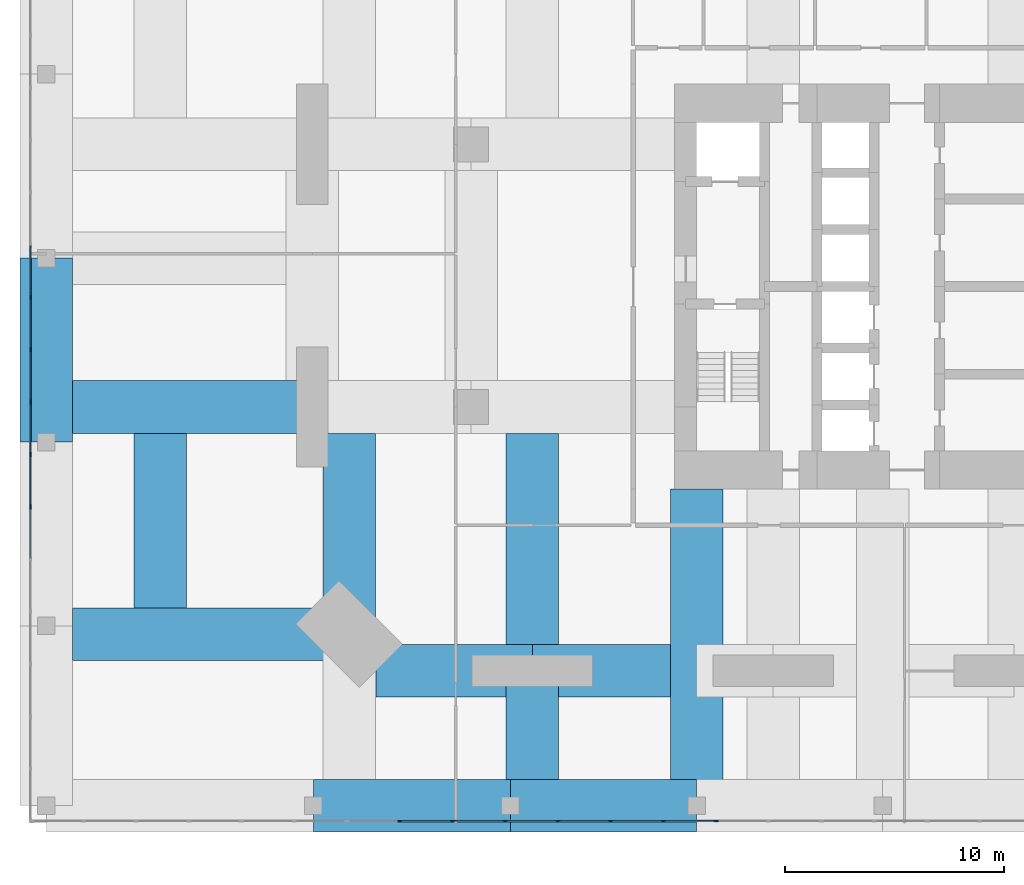
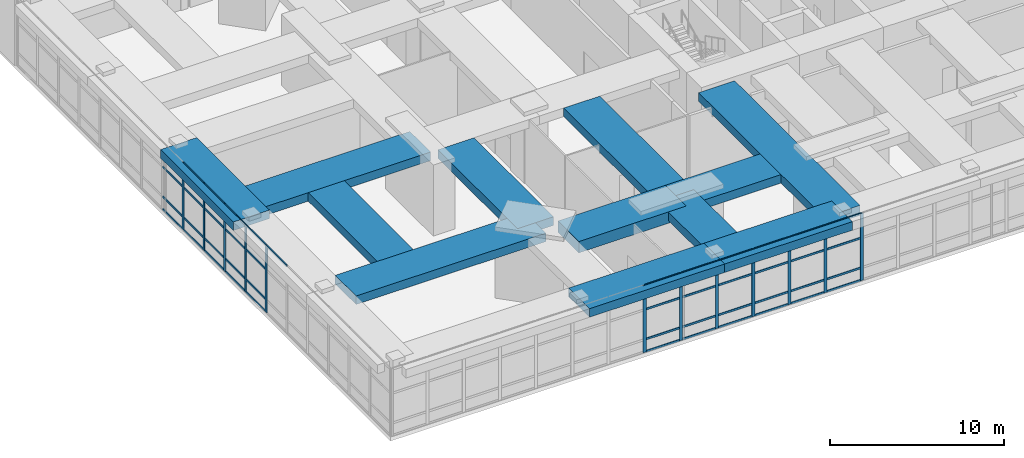
# One storey, part 3 of 22: 56 members, 12 beams, 2 elements without a shape of their own.
"""IFC4 building model written with IfcOpenShell, lengths in metres."""

import ifcopenshell
import ifcopenshell.guid

model = None  # the IFC model being written
_history = None  # IfcOwnerHistory: only IFC2X3 demands one
_inside = {}  # id of a spatial element -> (the spatial element, [elements in it])
_under = {}  # id of a project, library or spatial element -> (it, [spatial elements below it])
_declared = {}  # id of a project -> (the project, [libraries it declares])
_typed = {}  # id of a type object -> (the type object, [elements of that type])
_made_of = {}  # id of a material, layer set ... -> (it, [elements and type objects made of it])


def new_model(schema):
    """Start an empty IFC model of exactly this schema.

    Asked for "IFC4X3", IfcOpenShell would pick the latest addendum, in which some entities
    have other attributes; the version numbers below select the first issue.
    IFC2X3 requires an IfcOwnerHistory on every rooted entity: one is made here for all.
    """
    global model, _history
    if schema == "IFC4X3":
        model = ifcopenshell.file(schema_version=(4, 3, 0, 0))
    else:
        model = ifcopenshell.file(schema=schema)
    _inside.clear()
    _under.clear()
    _declared.clear()
    _typed.clear()
    _made_of.clear()
    _history = None
    if model.schema == "IFC2X3":
        org = make("IfcOrganization", Name="unknown")
        user = make(
            "IfcPersonAndOrganization",
            ThePerson=make("IfcPerson", FamilyName="unknown"),
            TheOrganization=org,
        )
        app = make(
            "IfcApplication",
            ApplicationDeveloper=org,
            Version="unknown",
            ApplicationFullName="unknown",
            ApplicationIdentifier="unknown",
        )
        _history = make(
            "IfcOwnerHistory",
            OwningUser=user,
            OwningApplication=app,
            ChangeAction="ADDED",
            CreationDate=0,
        )
    return model


def make(cls, **values):
    """One entity of the class cls with the attributes given. An attribute that is None is left unset."""
    return model.create_entity(
        cls, **{name: value for name, value in values.items() if value is not None}
    )


def rooted(cls, **values):
    """An entity with a GlobalId (a new one), such as an element, a storey or a relation."""
    return make(cls, GlobalId=ifcopenshell.guid.new(), OwnerHistory=_history, **values)


def si_unit(unit_type, name, prefix=None):
    """IfcSIUnit, for example si_unit("LENGTHUNIT", "METRE", prefix="MILLI")."""
    return make("IfcSIUnit", UnitType=unit_type, Prefix=prefix, Name=name)


def assignment(units):
    """IfcUnitAssignment: the units of a project."""
    return None if units is None else make("IfcUnitAssignment", Units=units)


def point(xyz):
    """IfcCartesianPoint."""
    return None if xyz is None else make("IfcCartesianPoint", Coordinates=xyz)


def direction(xyz):
    """IfcDirection."""
    return None if xyz is None else make("IfcDirection", DirectionRatios=xyz)


def frame(location, z_axis=None, x_axis=None):
    """IfcAxis2Placement3D, a coordinate frame: its origin and axes. An axis left out is left unset."""
    return make(
        "IfcAxis2Placement3D",
        Location=point(location),
        Axis=direction(z_axis),
        RefDirection=direction(x_axis),
    )


def frame_2d(location, x_axis=None):
    """IfcAxis2Placement2D, a coordinate frame in the plane: its origin and x axis."""
    return make(
        "IfcAxis2Placement2D", Location=point(location), RefDirection=direction(x_axis)
    )


def origin():
    """The frame at (0, 0, 0) with its axes left unset."""
    return frame((0.0, 0.0, 0.0))


def origin_2d():
    """The frame at (0, 0) in the plane with its x axis left unset."""
    return frame_2d((0.0, 0.0))


def place(relative_to, where):
    """IfcLocalPlacement: puts the frame where relative to a parent placement (None: the world)."""
    return make(
        "IfcLocalPlacement", PlacementRelTo=relative_to, RelativePlacement=where
    )


def context(
    kind, dimensions, precision=None, world=None, true_north=None, identifier=None
):
    """IfcGeometricRepresentationContext, for example the 3D "Model" context."""
    return make(
        "IfcGeometricRepresentationContext",
        ContextIdentifier=identifier,
        ContextType=kind,
        CoordinateSpaceDimension=dimensions,
        Precision=precision,
        WorldCoordinateSystem=world,
        TrueNorth=true_north,
    )


def subcontext(parent, identifier, kind, view, scale=None):
    """IfcGeometricRepresentationSubContext, for example "Body" below "Model"."""
    return make(
        "IfcGeometricRepresentationSubContext",
        ContextIdentifier=identifier,
        ContextType=kind,
        ParentContext=parent,
        TargetScale=scale,
        TargetView=view,
    )


def project(units=None, contexts=None):
    """IfcProject with its units and contexts."""
    return rooted(
        "IfcProject",
        Name="project",
        RepresentationContexts=contexts,
        UnitsInContext=assignment(units),
    )


def spatial(cls, under=None, at=None, **own):
    """A site, building, storey or space (cls), placed at a placement, below another one or the project."""
    s = rooted(cls, ObjectPlacement=at, **own)
    if under is not None:
        _under.setdefault(under.id(), (under, []))[1].append(s)
    return s


def profile(cls, at=None, kind="AREA", **sizes):
    """A parametric profile (cls). Its sizes go by their IFC names, for example OverallWidth=200.0."""
    return make(cls, ProfileType=kind, Position=at, **sizes)


def rectangle(**sizes):
    """IfcRectangleProfileDef."""
    return profile("IfcRectangleProfileDef", **sizes)


def extrude(swept, where, along, depth):
    """IfcExtrudedAreaSolid: the profile swept, set in the frame where, extruded along a direction by depth."""
    return make(
        "IfcExtrudedAreaSolid",
        SweptArea=swept,
        Position=where,
        ExtrudedDirection=direction(along),
        Depth=depth,
    )


def shape(context_of_items, identifier, shape_type, items):
    """IfcShapeRepresentation: the items that make up one representation, for example the "Body"."""
    return make(
        "IfcShapeRepresentation",
        ContextOfItems=context_of_items,
        RepresentationIdentifier=identifier,
        RepresentationType=shape_type,
        Items=items,
    )


def material(Name=None, Category=None):
    """IfcMaterial."""
    return make("IfcMaterial", Name=Name, Category=Category)


def material_profile(
    of_material, cross_section, Name=None, Category=None, Priority=None
):
    """IfcMaterialProfile: a cross section and its material."""
    return make(
        "IfcMaterialProfile",
        Name=Name,
        Material=of_material,
        Profile=cross_section,
        Priority=Priority,
        Category=Category,
    )


def profile_set(profiles, Name=None, composite=None):
    """IfcMaterialProfileSet."""
    return make(
        "IfcMaterialProfileSet",
        Name=Name,
        MaterialProfiles=profiles,
        CompositeProfile=composite,
    )


def made_of(thing, what):
    """Note that an element or type object is made of a material, layer set ...; save() writes the relation."""
    if what is not None:
        _made_of.setdefault(what.id(), (what, []))[1].append(thing)
    return thing


def type_object(cls, material=None, **own):
    """A type object (cls), such as IfcWallType, which elements share."""
    return made_of(rooted(cls, **own), material)


def element(
    cls,
    number,
    at=None,
    inside=None,
    cuts=None,
    type_object=None,
    material=None,
    context=None,
    identifier="Body",
    shape_type=None,
    held_by="IfcProductDefinitionShape",
    body=None,
    shapes=None,
    **own,
):
    """One element of the class cls, such as IfcWall. Its Tag is "e" and its number.

    at: its placement. inside: the storey or other place that contains it. cuts: it is an
    opening in that element (IfcRelVoidsElement). A single representation is given by context,
    identifier, shape_type and body (its items); several are given by shapes. held_by: the class
    of the entity that holds the representations. save() writes the other relations.
    """
    e = rooted(cls, Tag="e%d" % number, ObjectPlacement=at, **own)
    if body is not None:
        shapes = [shape(context, identifier, shape_type, body)]
    if shapes is not None:
        e.Representation = make(held_by, Representations=shapes)
    if inside is not None:
        _inside.setdefault(inside.id(), (inside, []))[1].append(e)
    if cuts is not None:
        rooted(
            "IfcRelVoidsElement", RelatingBuildingElement=cuts, RelatedOpeningElement=e
        )
    if type_object is not None:
        _typed.setdefault(type_object.id(), (type_object, []))[1].append(e)
    return made_of(e, material)


def aggregate(whole, parts):
    """IfcRelAggregates: a whole, such as a stair, and the parts it consists of."""
    return rooted("IfcRelAggregates", RelatingObject=whole, RelatedObjects=parts)


def save(model, path):
    """Write the relations noted so far, then the file.

    IfcRelAggregates (storeys below a building ...), IfcRelContainedInSpatialStructure (elements
    in a storey), IfcRelDefinesByType, IfcRelAssociatesMaterial and IfcRelDeclares: one each for
    every whole, place, type object, material and project.
    """
    for whole, parts in _under.values():
        aggregate(whole, parts)
    for where, things in _inside.values():
        rooted(
            "IfcRelContainedInSpatialStructure",
            RelatedElements=things,
            RelatingStructure=where,
        )
    for kind, things in _typed.values():
        rooted("IfcRelDefinesByType", RelatedObjects=things, RelatingType=kind)
    for what, things in _made_of.values():
        rooted("IfcRelAssociatesMaterial", RelatedObjects=things, RelatingMaterial=what)
    for by, libraries in _declared.values():
        rooted("IfcRelDeclares", RelatingContext=by, RelatedDefinitions=libraries)
    model.write(path)


model = new_model("IFC4")

# Units and contexts
model_context = context("Model", 3, precision=1e-05, world=origin(), true_north=direction((0.0, 1.0)))
body_context = subcontext(model_context, "Body", "Model", "MODEL_VIEW")
ifc_project = project(units=[si_unit("LENGTHUNIT", "METRE"), si_unit("AREAUNIT", "SQUARE_METRE"), si_unit("VOLUMEUNIT", "CUBIC_METRE"), si_unit("PLANEANGLEUNIT", "RADIAN"), si_unit("MASSUNIT", "GRAM", prefix="KILO")], contexts=[model_context])

# Site, building, storey
site_placement = place(None, origin())
site = spatial("IfcSite", under=ifc_project, at=site_placement, CompositionType="ELEMENT")
building_placement = place(site_placement, origin())
building = spatial("IfcBuilding", under=site, at=building_placement, Name="Jalousie Tower", CompositionType="ELEMENT")
storey_placement = place(building_placement, frame((0.0, 0.0, 6.0)))
storey = spatial("IfcBuildingStorey", under=building, at=storey_placement, Name="L01", CompositionType="ELEMENT", Elevation=6.0)

# Curtain wall, members
ifc_material_1 = material(Name="Aluminium curtain wall", Category="aluminium")
curtain_wall_type = type_object("IfcCurtainWallType", Name="PODIUM WINDOW WALL", PredefinedType="USERDEFINED", material=ifc_material_1)
curtain_wall_1_placement = place(storey_placement, origin())
curtain_wall_1 = element("IfcCurtainWall", 1, at=curtain_wall_1_placement, inside=storey, type_object=curtain_wall_type, Name="Podium Window Wall L01 1", ObjectType="PODIUM WINDOW WALL", PredefinedType="USERDEFINED")
ifc_material_2 = material(Name="Aluminium mullion", Category="aluminium")
ifc_material_profile_1 = material_profile(ifc_material_2, rectangle(XDim=0.070068359375, YDim=0.199951171875, at=origin_2d()), Name="MULLION 70x200")
ifc_profile_set_1 = profile_set([ifc_material_profile_1], Name="Aluminium mullion")
member_type_1 = type_object("IfcMemberType", Name="PODIUM WINDOW WALL MULLION", PredefinedType="MULLION", material=ifc_profile_set_1)
member_1_placement = place(storey_placement, frame((6.94189453125, -5.91259765625, 0.0), z_axis=(0.0, 0.0, 1.0), x_axis=(0.0, 1.0, 0.0)))
member_1 = element("IfcMember", 2, at=member_1_placement, type_object=member_type_1, Name="CW-P mullion 8", PredefinedType="MULLION", context=body_context, shape_type="SweptSolid", body=[
    extrude(rectangle(XDim=0.070068359375, YDim=0.199951171875, at=origin_2d()), origin(), (0.0, 0.0, 1.0), 4.719970703125),
])
member_2_placement = place(storey_placement, frame((9.349609375, -5.91259765625, 0.0), z_axis=(0.0, 0.0, 1.0), x_axis=(0.0, 1.0, 0.0)))
member_2 = element("IfcMember", 3, at=member_2_placement, type_object=member_type_1, Name="CW-P mullion 9", PredefinedType="MULLION", context=body_context, shape_type="SweptSolid", body=[
    extrude(rectangle(XDim=0.070068359375, YDim=0.199951171875, at=origin_2d()), origin(), (0.0, 0.0, 1.0), 4.719970703125),
])
member_3_placement = place(storey_placement, frame((11.75732421875, -5.91259765625, 0.0), z_axis=(0.0, 0.0, 1.0), x_axis=(0.0, 1.0, 0.0)))
member_3 = element("IfcMember", 4, at=member_3_placement, type_object=member_type_1, Name="CW-P mullion 10", PredefinedType="MULLION", context=body_context, shape_type="SweptSolid", body=[
    extrude(rectangle(XDim=0.070068359375, YDim=0.199951171875, at=origin_2d()), origin(), (0.0, 0.0, 1.0), 4.719970703125),
])
member_4_placement = place(storey_placement, frame((14.1650390625, -5.91259765625, 0.0), z_axis=(0.0, 0.0, 1.0), x_axis=(0.0, 1.0, 0.0)))
member_4 = element("IfcMember", 5, at=member_4_placement, type_object=member_type_1, Name="CW-P mullion 11", PredefinedType="MULLION", context=body_context, shape_type="SweptSolid", body=[
    extrude(rectangle(XDim=0.070068359375, YDim=0.199951171875, at=origin_2d()), origin(), (0.0, 0.0, 1.0), 4.719970703125),
])
member_5_placement = place(storey_placement, frame((16.57275390625, -5.91259765625, 0.0), z_axis=(0.0, 0.0, 1.0), x_axis=(0.0, 1.0, 0.0)))
member_5 = element("IfcMember", 6, at=member_5_placement, type_object=member_type_1, Name="CW-P mullion 12", PredefinedType="MULLION", context=body_context, shape_type="SweptSolid", body=[
    extrude(rectangle(XDim=0.070068359375, YDim=0.199951171875, at=origin_2d()), origin(), (0.0, 0.0, 1.0), 4.719970703125),
])
member_6_placement = place(storey_placement, frame((18.980712890625, -5.91259765625, 0.0), z_axis=(0.0, 0.0, 1.0), x_axis=(0.0, 1.0, 0.0)))
member_6 = element("IfcMember", 7, at=member_6_placement, type_object=member_type_1, Name="CW-P mullion 13", PredefinedType="MULLION", context=body_context, shape_type="SweptSolid", body=[
    extrude(rectangle(XDim=0.070068359375, YDim=0.199951171875, at=origin_2d()), origin(), (0.0, 0.0, 1.0), 4.719970703125),
])
member_7_placement = place(storey_placement, frame((21.388427734375, -5.91259765625, 0.0), z_axis=(0.0, 0.0, 1.0), x_axis=(0.0, 1.0, 0.0)))
member_7 = element("IfcMember", 8, at=member_7_placement, type_object=member_type_1, Name="CW-P mullion 14", PredefinedType="MULLION", context=body_context, shape_type="SweptSolid", body=[
    extrude(rectangle(XDim=0.070068359375, YDim=0.199951171875, at=origin_2d()), origin(), (0.0, 0.0, 1.0), 4.719970703125),
])

curtain_wall_2_placement = place(storey_placement, origin())
curtain_wall_2 = element("IfcCurtainWall", 9, at=curtain_wall_2_placement, inside=storey, type_object=curtain_wall_type, Name="Podium Window Wall L01 33", ObjectType="PODIUM WINDOW WALL", PredefinedType="USERDEFINED")
member_8_placement = place(storey_placement, frame((-9.91259765625, 18.01123046875, 0.0), z_axis=(0.0, 0.0, 1.0), x_axis=(1.0, 0.0, 0.0)))
member_8 = element("IfcMember", 10, at=member_8_placement, type_object=member_type_1, Name="CW-P mullion 9", PredefinedType="MULLION", context=body_context, shape_type="SweptSolid", body=[
    extrude(rectangle(XDim=0.070068359375, YDim=0.199951171875, at=origin_2d()), origin(), (0.0, 0.0, 1.0), 4.719970703125),
])
member_9_placement = place(storey_placement, frame((-9.91259765625, 15.61865234375, 0.0), z_axis=(0.0, 0.0, 1.0), x_axis=(1.0, 0.0, 0.0)))
member_9 = element("IfcMember", 11, at=member_9_placement, type_object=member_type_1, Name="CW-P mullion 10", PredefinedType="MULLION", context=body_context, shape_type="SweptSolid", body=[
    extrude(rectangle(XDim=0.070068359375, YDim=0.199951171875, at=origin_2d()), origin(), (0.0, 0.0, 1.0), 4.719970703125),
])
member_10_placement = place(storey_placement, frame((-9.91259765625, 13.226318359375, 0.0), z_axis=(0.0, 0.0, 1.0), x_axis=(1.0, 0.0, 0.0)))
member_10 = element("IfcMember", 12, at=member_10_placement, type_object=member_type_1, Name="CW-P mullion 11", PredefinedType="MULLION", context=body_context, shape_type="SweptSolid", body=[
    extrude(rectangle(XDim=0.070068359375, YDim=0.199951171875, at=origin_2d()), origin(), (0.0, 0.0, 1.0), 4.719970703125),
])
member_11_placement = place(storey_placement, frame((-9.91259765625, 10.833984375, 0.0), z_axis=(0.0, 0.0, 1.0), x_axis=(1.0, 0.0, 0.0)))
member_11 = element("IfcMember", 13, at=member_11_placement, type_object=member_type_1, Name="CW-P mullion 12", PredefinedType="MULLION", context=body_context, shape_type="SweptSolid", body=[
    extrude(rectangle(XDim=0.070068359375, YDim=0.199951171875, at=origin_2d()), origin(), (0.0, 0.0, 1.0), 4.719970703125),
])
member_12_placement = place(storey_placement, frame((-9.91259765625, 8.441650390625, 0.0), z_axis=(0.0, 0.0, 1.0), x_axis=(1.0, 0.0, 0.0)))
member_12 = element("IfcMember", 14, at=member_12_placement, type_object=member_type_1, Name="CW-P mullion 13", PredefinedType="MULLION", context=body_context, shape_type="SweptSolid", body=[
    extrude(rectangle(XDim=0.070068359375, YDim=0.199951171875, at=origin_2d()), origin(), (0.0, 0.0, 1.0), 4.719970703125),
])

# Member
ifc_material_3 = material(Name="Aluminium transom", Category="aluminium")
ifc_material_profile_2 = material_profile(ifc_material_3, rectangle(XDim=0.070068359375, YDim=0.139892578125, at=origin_2d()), Name="TRANSOM 70x140")
ifc_profile_set_2 = profile_set([ifc_material_profile_2], Name="Aluminium transom")
member_type_2 = type_object("IfcMemberType", Name="PODIUM WINDOW WALL TRANSOM", PredefinedType="USERDEFINED", material=ifc_profile_set_2)
member_13_placement = place(storey_placement, frame((6.976806640625, -5.91259765625, 0.034912109375), z_axis=(1.0, 0.0, 0.0), x_axis=(0.0, 1.0, 0.0)))
member_13 = element("IfcMember", 15, at=member_13_placement, type_object=member_type_2, Name="CW-P transom 8.1", ObjectType="TRANSOM", PredefinedType="USERDEFINED", context=body_context, shape_type="SweptSolid", body=[
    extrude(rectangle(XDim=0.070068359375, YDim=0.139892578125, at=origin_2d()), origin(), (0.0, 0.0, 1.0), 2.337646484375),
])

member_14_placement = place(storey_placement, frame((6.976806640625, -5.91259765625, 0.89990234375), z_axis=(1.0, 0.0, 0.0), x_axis=(0.0, 1.0, 0.0)))
member_14 = element("IfcMember", 16, at=member_14_placement, type_object=member_type_2, Name="CW-P transom 8.2", ObjectType="TRANSOM", PredefinedType="USERDEFINED", context=body_context, shape_type="SweptSolid", body=[
    extrude(rectangle(XDim=0.070068359375, YDim=0.139892578125, at=origin_2d()), origin(), (0.0, 0.0, 1.0), 2.337646484375),
])

member_15_placement = place(storey_placement, frame((6.976806640625, -5.91259765625, 3.0), z_axis=(1.0, 0.0, 0.0), x_axis=(0.0, 1.0, 0.0)))
member_15 = element("IfcMember", 17, at=member_15_placement, type_object=member_type_2, Name="CW-P transom 8.3", ObjectType="TRANSOM", PredefinedType="USERDEFINED", context=body_context, shape_type="SweptSolid", body=[
    extrude(rectangle(XDim=0.070068359375, YDim=0.139892578125, at=origin_2d()), origin(), (0.0, 0.0, 1.0), 2.337646484375),
])

member_16_placement = place(storey_placement, frame((6.976806640625, -5.91259765625, 4.68505859375), z_axis=(1.0, 0.0, 0.0), x_axis=(0.0, 1.0, 0.0)))
member_16 = element("IfcMember", 18, at=member_16_placement, type_object=member_type_2, Name="CW-P transom 8.4", ObjectType="TRANSOM", PredefinedType="USERDEFINED", context=body_context, shape_type="SweptSolid", body=[
    extrude(rectangle(XDim=0.070068359375, YDim=0.139892578125, at=origin_2d()), origin(), (0.0, 0.0, 1.0), 2.337646484375),
])

member_17_placement = place(storey_placement, frame((9.384521484375, -5.91259765625, 0.034912109375), z_axis=(1.0, 0.0, 0.0), x_axis=(0.0, 1.0, 0.0)))
member_17 = element("IfcMember", 19, at=member_17_placement, type_object=member_type_2, Name="CW-P transom 9.1", ObjectType="TRANSOM", PredefinedType="USERDEFINED", context=body_context, shape_type="SweptSolid", body=[
    extrude(rectangle(XDim=0.070068359375, YDim=0.139892578125, at=origin_2d()), origin(), (0.0, 0.0, 1.0), 2.337890625),
])

member_18_placement = place(storey_placement, frame((9.384521484375, -5.91259765625, 0.89990234375), z_axis=(1.0, 0.0, 0.0), x_axis=(0.0, 1.0, 0.0)))
member_18 = element("IfcMember", 20, at=member_18_placement, type_object=member_type_2, Name="CW-P transom 9.2", ObjectType="TRANSOM", PredefinedType="USERDEFINED", context=body_context, shape_type="SweptSolid", body=[
    extrude(rectangle(XDim=0.070068359375, YDim=0.139892578125, at=origin_2d()), origin(), (0.0, 0.0, 1.0), 2.337890625),
])

member_19_placement = place(storey_placement, frame((9.384521484375, -5.91259765625, 3.0), z_axis=(1.0, 0.0, 0.0), x_axis=(0.0, 1.0, 0.0)))
member_19 = element("IfcMember", 21, at=member_19_placement, type_object=member_type_2, Name="CW-P transom 9.3", ObjectType="TRANSOM", PredefinedType="USERDEFINED", context=body_context, shape_type="SweptSolid", body=[
    extrude(rectangle(XDim=0.070068359375, YDim=0.139892578125, at=origin_2d()), origin(), (0.0, 0.0, 1.0), 2.337890625),
])

member_20_placement = place(storey_placement, frame((9.384521484375, -5.91259765625, 4.68505859375), z_axis=(1.0, 0.0, 0.0), x_axis=(0.0, 1.0, 0.0)))
member_20 = element("IfcMember", 22, at=member_20_placement, type_object=member_type_2, Name="CW-P transom 9.4", ObjectType="TRANSOM", PredefinedType="USERDEFINED", context=body_context, shape_type="SweptSolid", body=[
    extrude(rectangle(XDim=0.070068359375, YDim=0.139892578125, at=origin_2d()), origin(), (0.0, 0.0, 1.0), 2.337890625),
])

member_21_placement = place(storey_placement, frame((11.792236328125, -5.91259765625, 0.034912109375), z_axis=(1.0, 0.0, 0.0), x_axis=(0.0, 1.0, 0.0)))
member_21 = element("IfcMember", 23, at=member_21_placement, type_object=member_type_2, Name="CW-P transom 10.1", ObjectType="TRANSOM", PredefinedType="USERDEFINED", context=body_context, shape_type="SweptSolid", body=[
    extrude(rectangle(XDim=0.070068359375, YDim=0.139892578125, at=origin_2d()), origin(), (0.0, 0.0, 1.0), 2.337890625),
])

member_22_placement = place(storey_placement, frame((11.792236328125, -5.91259765625, 0.89990234375), z_axis=(1.0, 0.0, 0.0), x_axis=(0.0, 1.0, 0.0)))
member_22 = element("IfcMember", 24, at=member_22_placement, type_object=member_type_2, Name="CW-P transom 10.2", ObjectType="TRANSOM", PredefinedType="USERDEFINED", context=body_context, shape_type="SweptSolid", body=[
    extrude(rectangle(XDim=0.070068359375, YDim=0.139892578125, at=origin_2d()), origin(), (0.0, 0.0, 1.0), 2.337890625),
])

member_23_placement = place(storey_placement, frame((11.792236328125, -5.91259765625, 3.0), z_axis=(1.0, 0.0, 0.0), x_axis=(0.0, 1.0, 0.0)))
member_23 = element("IfcMember", 25, at=member_23_placement, type_object=member_type_2, Name="CW-P transom 10.3", ObjectType="TRANSOM", PredefinedType="USERDEFINED", context=body_context, shape_type="SweptSolid", body=[
    extrude(rectangle(XDim=0.070068359375, YDim=0.139892578125, at=origin_2d()), origin(), (0.0, 0.0, 1.0), 2.337890625),
])

member_24_placement = place(storey_placement, frame((11.792236328125, -5.91259765625, 4.68505859375), z_axis=(1.0, 0.0, 0.0), x_axis=(0.0, 1.0, 0.0)))
member_24 = element("IfcMember", 26, at=member_24_placement, type_object=member_type_2, Name="CW-P transom 10.4", ObjectType="TRANSOM", PredefinedType="USERDEFINED", context=body_context, shape_type="SweptSolid", body=[
    extrude(rectangle(XDim=0.070068359375, YDim=0.139892578125, at=origin_2d()), origin(), (0.0, 0.0, 1.0), 2.337890625),
])

member_25_placement = place(storey_placement, frame((14.2001953125, -5.91259765625, 0.034912109375), z_axis=(1.0, 0.0, 0.0), x_axis=(0.0, 1.0, 0.0)))
member_25 = element("IfcMember", 27, at=member_25_placement, type_object=member_type_2, Name="CW-P transom 11.1", ObjectType="TRANSOM", PredefinedType="USERDEFINED", context=body_context, shape_type="SweptSolid", body=[
    extrude(rectangle(XDim=0.070068359375, YDim=0.139892578125, at=origin_2d()), origin(), (0.0, 0.0, 1.0), 2.337646484375),
])

member_26_placement = place(storey_placement, frame((14.2001953125, -5.91259765625, 0.89990234375), z_axis=(1.0, 0.0, 0.0), x_axis=(0.0, 1.0, 0.0)))
member_26 = element("IfcMember", 28, at=member_26_placement, type_object=member_type_2, Name="CW-P transom 11.2", ObjectType="TRANSOM", PredefinedType="USERDEFINED", context=body_context, shape_type="SweptSolid", body=[
    extrude(rectangle(XDim=0.070068359375, YDim=0.139892578125, at=origin_2d()), origin(), (0.0, 0.0, 1.0), 2.337646484375),
])

member_27_placement = place(storey_placement, frame((14.2001953125, -5.91259765625, 3.0), z_axis=(1.0, 0.0, 0.0), x_axis=(0.0, 1.0, 0.0)))
member_27 = element("IfcMember", 29, at=member_27_placement, type_object=member_type_2, Name="CW-P transom 11.3", ObjectType="TRANSOM", PredefinedType="USERDEFINED", context=body_context, shape_type="SweptSolid", body=[
    extrude(rectangle(XDim=0.070068359375, YDim=0.139892578125, at=origin_2d()), origin(), (0.0, 0.0, 1.0), 2.337646484375),
])

member_28_placement = place(storey_placement, frame((14.2001953125, -5.91259765625, 4.68505859375), z_axis=(1.0, 0.0, 0.0), x_axis=(0.0, 1.0, 0.0)))
member_28 = element("IfcMember", 30, at=member_28_placement, type_object=member_type_2, Name="CW-P transom 11.4", ObjectType="TRANSOM", PredefinedType="USERDEFINED", context=body_context, shape_type="SweptSolid", body=[
    extrude(rectangle(XDim=0.070068359375, YDim=0.139892578125, at=origin_2d()), origin(), (0.0, 0.0, 1.0), 2.337646484375),
])

member_29_placement = place(storey_placement, frame((16.60791015625, -5.91259765625, 0.034912109375), z_axis=(1.0, 0.0, 0.0), x_axis=(0.0, 1.0, 0.0)))
member_29 = element("IfcMember", 31, at=member_29_placement, type_object=member_type_2, Name="CW-P transom 12.1", ObjectType="TRANSOM", PredefinedType="USERDEFINED", context=body_context, shape_type="SweptSolid", body=[
    extrude(rectangle(XDim=0.070068359375, YDim=0.139892578125, at=origin_2d()), origin(), (0.0, 0.0, 1.0), 2.337646484375),
])

member_30_placement = place(storey_placement, frame((16.60791015625, -5.91259765625, 0.89990234375), z_axis=(1.0, 0.0, 0.0), x_axis=(0.0, 1.0, 0.0)))
member_30 = element("IfcMember", 32, at=member_30_placement, type_object=member_type_2, Name="CW-P transom 12.2", ObjectType="TRANSOM", PredefinedType="USERDEFINED", context=body_context, shape_type="SweptSolid", body=[
    extrude(rectangle(XDim=0.070068359375, YDim=0.139892578125, at=origin_2d()), origin(), (0.0, 0.0, 1.0), 2.337646484375),
])

member_31_placement = place(storey_placement, frame((16.60791015625, -5.91259765625, 3.0), z_axis=(1.0, 0.0, 0.0), x_axis=(0.0, 1.0, 0.0)))
member_31 = element("IfcMember", 33, at=member_31_placement, type_object=member_type_2, Name="CW-P transom 12.3", ObjectType="TRANSOM", PredefinedType="USERDEFINED", context=body_context, shape_type="SweptSolid", body=[
    extrude(rectangle(XDim=0.070068359375, YDim=0.139892578125, at=origin_2d()), origin(), (0.0, 0.0, 1.0), 2.337646484375),
])

member_32_placement = place(storey_placement, frame((16.60791015625, -5.91259765625, 4.68505859375), z_axis=(1.0, 0.0, 0.0), x_axis=(0.0, 1.0, 0.0)))
member_32 = element("IfcMember", 34, at=member_32_placement, type_object=member_type_2, Name="CW-P transom 12.4", ObjectType="TRANSOM", PredefinedType="USERDEFINED", context=body_context, shape_type="SweptSolid", body=[
    extrude(rectangle(XDim=0.070068359375, YDim=0.139892578125, at=origin_2d()), origin(), (0.0, 0.0, 1.0), 2.337646484375),
])

member_33_placement = place(storey_placement, frame((19.015625, -5.91259765625, 0.034912109375), z_axis=(1.0, 0.0, 0.0), x_axis=(0.0, 1.0, 0.0)))
member_33 = element("IfcMember", 35, at=member_33_placement, type_object=member_type_2, Name="CW-P transom 13.1", ObjectType="TRANSOM", PredefinedType="USERDEFINED", context=body_context, shape_type="SweptSolid", body=[
    extrude(rectangle(XDim=0.070068359375, YDim=0.139892578125, at=origin_2d()), origin(), (0.0, 0.0, 1.0), 2.337646484375),
])

member_34_placement = place(storey_placement, frame((19.015625, -5.91259765625, 0.89990234375), z_axis=(1.0, 0.0, 0.0), x_axis=(0.0, 1.0, 0.0)))
member_34 = element("IfcMember", 36, at=member_34_placement, type_object=member_type_2, Name="CW-P transom 13.2", ObjectType="TRANSOM", PredefinedType="USERDEFINED", context=body_context, shape_type="SweptSolid", body=[
    extrude(rectangle(XDim=0.070068359375, YDim=0.139892578125, at=origin_2d()), origin(), (0.0, 0.0, 1.0), 2.337646484375),
])

member_35_placement = place(storey_placement, frame((19.015625, -5.91259765625, 3.0), z_axis=(1.0, 0.0, 0.0), x_axis=(0.0, 1.0, 0.0)))
member_35 = element("IfcMember", 37, at=member_35_placement, type_object=member_type_2, Name="CW-P transom 13.3", ObjectType="TRANSOM", PredefinedType="USERDEFINED", context=body_context, shape_type="SweptSolid", body=[
    extrude(rectangle(XDim=0.070068359375, YDim=0.139892578125, at=origin_2d()), origin(), (0.0, 0.0, 1.0), 2.337646484375),
])

member_36_placement = place(storey_placement, frame((19.015625, -5.91259765625, 4.68505859375), z_axis=(1.0, 0.0, 0.0), x_axis=(0.0, 1.0, 0.0)))
member_36 = element("IfcMember", 38, at=member_36_placement, type_object=member_type_2, Name="CW-P transom 13.4", ObjectType="TRANSOM", PredefinedType="USERDEFINED", context=body_context, shape_type="SweptSolid", body=[
    extrude(rectangle(XDim=0.070068359375, YDim=0.139892578125, at=origin_2d()), origin(), (0.0, 0.0, 1.0), 2.337646484375),
])

aggregate(curtain_wall_1, [member_1, member_2, member_3, member_4, member_5, member_6, member_7, member_13, member_14, member_15, member_16, member_17, member_18, member_19, member_20, member_21, member_22, member_23, member_24, member_25, member_26, member_27, member_28, member_29, member_30, member_31, member_32, member_33, member_34, member_35, member_36])

member_37_placement = place(storey_placement, frame((-9.91259765625, 20.368408203125, 0.034912109375), z_axis=(0.0, -1.0, 0.0), x_axis=(1.0, 0.0, 0.0)))
member_37 = element("IfcMember", 39, at=member_37_placement, type_object=member_type_2, Name="CW-P transom 8.1", ObjectType="TRANSOM", PredefinedType="USERDEFINED", context=body_context, shape_type="SweptSolid", body=[
    extrude(rectangle(XDim=0.070068359375, YDim=0.139892578125, at=origin_2d()), origin(), (0.0, 0.0, 1.0), 2.322265625),
])

member_38_placement = place(storey_placement, frame((-9.91259765625, 20.368408203125, 0.89990234375), z_axis=(0.0, -1.0, 0.0), x_axis=(1.0, 0.0, 0.0)))
member_38 = element("IfcMember", 40, at=member_38_placement, type_object=member_type_2, Name="CW-P transom 8.2", ObjectType="TRANSOM", PredefinedType="USERDEFINED", context=body_context, shape_type="SweptSolid", body=[
    extrude(rectangle(XDim=0.070068359375, YDim=0.139892578125, at=origin_2d()), origin(), (0.0, 0.0, 1.0), 2.322265625),
])

member_39_placement = place(storey_placement, frame((-9.91259765625, 20.368408203125, 3.0), z_axis=(0.0, -1.0, 0.0), x_axis=(1.0, 0.0, 0.0)))
member_39 = element("IfcMember", 41, at=member_39_placement, type_object=member_type_2, Name="CW-P transom 8.3", ObjectType="TRANSOM", PredefinedType="USERDEFINED", context=body_context, shape_type="SweptSolid", body=[
    extrude(rectangle(XDim=0.070068359375, YDim=0.139892578125, at=origin_2d()), origin(), (0.0, 0.0, 1.0), 2.322265625),
])

member_40_placement = place(storey_placement, frame((-9.91259765625, 17.97607421875, 0.034912109375), z_axis=(0.0, -1.0, 0.0), x_axis=(1.0, 0.0, 0.0)))
member_40 = element("IfcMember", 42, at=member_40_placement, type_object=member_type_2, Name="CW-P transom 9.1", ObjectType="TRANSOM", PredefinedType="USERDEFINED", context=body_context, shape_type="SweptSolid", body=[
    extrude(rectangle(XDim=0.070068359375, YDim=0.139892578125, at=origin_2d()), origin(), (0.0, 0.0, 1.0), 2.322265625),
])

member_41_placement = place(storey_placement, frame((-9.91259765625, 17.97607421875, 0.89990234375), z_axis=(0.0, -1.0, 0.0), x_axis=(1.0, 0.0, 0.0)))
member_41 = element("IfcMember", 43, at=member_41_placement, type_object=member_type_2, Name="CW-P transom 9.2", ObjectType="TRANSOM", PredefinedType="USERDEFINED", context=body_context, shape_type="SweptSolid", body=[
    extrude(rectangle(XDim=0.070068359375, YDim=0.139892578125, at=origin_2d()), origin(), (0.0, 0.0, 1.0), 2.322265625),
])

member_42_placement = place(storey_placement, frame((-9.91259765625, 17.97607421875, 3.0), z_axis=(0.0, -1.0, 0.0), x_axis=(1.0, 0.0, 0.0)))
member_42 = element("IfcMember", 44, at=member_42_placement, type_object=member_type_2, Name="CW-P transom 9.3", ObjectType="TRANSOM", PredefinedType="USERDEFINED", context=body_context, shape_type="SweptSolid", body=[
    extrude(rectangle(XDim=0.070068359375, YDim=0.139892578125, at=origin_2d()), origin(), (0.0, 0.0, 1.0), 2.322265625),
])

member_43_placement = place(storey_placement, frame((-9.91259765625, 17.97607421875, 4.68505859375), z_axis=(0.0, -1.0, 0.0), x_axis=(1.0, 0.0, 0.0)))
member_43 = element("IfcMember", 45, at=member_43_placement, type_object=member_type_2, Name="CW-P transom 9.4", ObjectType="TRANSOM", PredefinedType="USERDEFINED", context=body_context, shape_type="SweptSolid", body=[
    extrude(rectangle(XDim=0.070068359375, YDim=0.139892578125, at=origin_2d()), origin(), (0.0, 0.0, 1.0), 2.322265625),
])

member_44_placement = place(storey_placement, frame((-9.91259765625, 15.583740234375, 0.034912109375), z_axis=(0.0, -1.0, 0.0), x_axis=(1.0, 0.0, 0.0)))
member_44 = element("IfcMember", 46, at=member_44_placement, type_object=member_type_2, Name="CW-P transom 10.1", ObjectType="TRANSOM", PredefinedType="USERDEFINED", context=body_context, shape_type="SweptSolid", body=[
    extrude(rectangle(XDim=0.070068359375, YDim=0.139892578125, at=origin_2d()), origin(), (0.0, 0.0, 1.0), 2.322265625),
])

member_45_placement = place(storey_placement, frame((-9.91259765625, 15.583740234375, 0.89990234375), z_axis=(0.0, -1.0, 0.0), x_axis=(1.0, 0.0, 0.0)))
member_45 = element("IfcMember", 47, at=member_45_placement, type_object=member_type_2, Name="CW-P transom 10.2", ObjectType="TRANSOM", PredefinedType="USERDEFINED", context=body_context, shape_type="SweptSolid", body=[
    extrude(rectangle(XDim=0.070068359375, YDim=0.139892578125, at=origin_2d()), origin(), (0.0, 0.0, 1.0), 2.322265625),
])

member_46_placement = place(storey_placement, frame((-9.91259765625, 15.583740234375, 3.0), z_axis=(0.0, -1.0, 0.0), x_axis=(1.0, 0.0, 0.0)))
member_46 = element("IfcMember", 48, at=member_46_placement, type_object=member_type_2, Name="CW-P transom 10.3", ObjectType="TRANSOM", PredefinedType="USERDEFINED", context=body_context, shape_type="SweptSolid", body=[
    extrude(rectangle(XDim=0.070068359375, YDim=0.139892578125, at=origin_2d()), origin(), (0.0, 0.0, 1.0), 2.322265625),
])

member_47_placement = place(storey_placement, frame((-9.91259765625, 15.583740234375, 4.68505859375), z_axis=(0.0, -1.0, 0.0), x_axis=(1.0, 0.0, 0.0)))
member_47 = element("IfcMember", 49, at=member_47_placement, type_object=member_type_2, Name="CW-P transom 10.4", ObjectType="TRANSOM", PredefinedType="USERDEFINED", context=body_context, shape_type="SweptSolid", body=[
    extrude(rectangle(XDim=0.070068359375, YDim=0.139892578125, at=origin_2d()), origin(), (0.0, 0.0, 1.0), 2.322265625),
])

member_48_placement = place(storey_placement, frame((-9.91259765625, 13.19140625, 0.034912109375), z_axis=(0.0, -1.0, 0.0), x_axis=(1.0, 0.0, 0.0)))
member_48 = element("IfcMember", 50, at=member_48_placement, type_object=member_type_2, Name="CW-P transom 11.1", ObjectType="TRANSOM", PredefinedType="USERDEFINED", context=body_context, shape_type="SweptSolid", body=[
    extrude(rectangle(XDim=0.070068359375, YDim=0.139892578125, at=origin_2d()), origin(), (0.0, 0.0, 1.0), 2.322265625),
])

member_49_placement = place(storey_placement, frame((-9.91259765625, 13.19140625, 0.89990234375), z_axis=(0.0, -1.0, 0.0), x_axis=(1.0, 0.0, 0.0)))
member_49 = element("IfcMember", 51, at=member_49_placement, type_object=member_type_2, Name="CW-P transom 11.2", ObjectType="TRANSOM", PredefinedType="USERDEFINED", context=body_context, shape_type="SweptSolid", body=[
    extrude(rectangle(XDim=0.070068359375, YDim=0.139892578125, at=origin_2d()), origin(), (0.0, 0.0, 1.0), 2.322265625),
])

member_50_placement = place(storey_placement, frame((-9.91259765625, 13.19140625, 3.0), z_axis=(0.0, -1.0, 0.0), x_axis=(1.0, 0.0, 0.0)))
member_50 = element("IfcMember", 52, at=member_50_placement, type_object=member_type_2, Name="CW-P transom 11.3", ObjectType="TRANSOM", PredefinedType="USERDEFINED", context=body_context, shape_type="SweptSolid", body=[
    extrude(rectangle(XDim=0.070068359375, YDim=0.139892578125, at=origin_2d()), origin(), (0.0, 0.0, 1.0), 2.322265625),
])

member_51_placement = place(storey_placement, frame((-9.91259765625, 13.19140625, 4.68505859375), z_axis=(0.0, -1.0, 0.0), x_axis=(1.0, 0.0, 0.0)))
member_51 = element("IfcMember", 53, at=member_51_placement, type_object=member_type_2, Name="CW-P transom 11.4", ObjectType="TRANSOM", PredefinedType="USERDEFINED", context=body_context, shape_type="SweptSolid", body=[
    extrude(rectangle(XDim=0.070068359375, YDim=0.139892578125, at=origin_2d()), origin(), (0.0, 0.0, 1.0), 2.322265625),
])

member_52_placement = place(storey_placement, frame((-9.91259765625, 10.799072265625, 0.034912109375), z_axis=(0.0, -1.0, 0.0), x_axis=(1.0, 0.0, 0.0)))
member_52 = element("IfcMember", 54, at=member_52_placement, type_object=member_type_2, Name="CW-P transom 12.1", ObjectType="TRANSOM", PredefinedType="USERDEFINED", context=body_context, shape_type="SweptSolid", body=[
    extrude(rectangle(XDim=0.070068359375, YDim=0.139892578125, at=origin_2d()), origin(), (0.0, 0.0, 1.0), 2.322509765625),
])

member_53_placement = place(storey_placement, frame((-9.91259765625, 10.799072265625, 0.89990234375), z_axis=(0.0, -1.0, 0.0), x_axis=(1.0, 0.0, 0.0)))
member_53 = element("IfcMember", 55, at=member_53_placement, type_object=member_type_2, Name="CW-P transom 12.2", ObjectType="TRANSOM", PredefinedType="USERDEFINED", context=body_context, shape_type="SweptSolid", body=[
    extrude(rectangle(XDim=0.070068359375, YDim=0.139892578125, at=origin_2d()), origin(), (0.0, 0.0, 1.0), 2.322509765625),
])

member_54_placement = place(storey_placement, frame((-9.91259765625, 10.799072265625, 3.0), z_axis=(0.0, -1.0, 0.0), x_axis=(1.0, 0.0, 0.0)))
member_54 = element("IfcMember", 56, at=member_54_placement, type_object=member_type_2, Name="CW-P transom 12.3", ObjectType="TRANSOM", PredefinedType="USERDEFINED", context=body_context, shape_type="SweptSolid", body=[
    extrude(rectangle(XDim=0.070068359375, YDim=0.139892578125, at=origin_2d()), origin(), (0.0, 0.0, 1.0), 2.322509765625),
])

member_55_placement = place(storey_placement, frame((-9.91259765625, 10.799072265625, 4.68505859375), z_axis=(0.0, -1.0, 0.0), x_axis=(1.0, 0.0, 0.0)))
member_55 = element("IfcMember", 57, at=member_55_placement, type_object=member_type_2, Name="CW-P transom 12.4", ObjectType="TRANSOM", PredefinedType="USERDEFINED", context=body_context, shape_type="SweptSolid", body=[
    extrude(rectangle(XDim=0.070068359375, YDim=0.139892578125, at=origin_2d()), origin(), (0.0, 0.0, 1.0), 2.322509765625),
])

member_56_placement = place(storey_placement, frame((-9.91259765625, 8.40673828125, 4.68505859375), z_axis=(0.0, -1.0, 0.0), x_axis=(1.0, 0.0, 0.0)))
member_56 = element("IfcMember", 58, at=member_56_placement, type_object=member_type_2, Name="CW-P transom 13.4", ObjectType="TRANSOM", PredefinedType="USERDEFINED", context=body_context, shape_type="SweptSolid", body=[
    extrude(rectangle(XDim=0.070068359375, YDim=0.139892578125, at=origin_2d()), origin(), (0.0, 0.0, 1.0), 2.322509765625),
])

aggregate(curtain_wall_2, [member_8, member_9, member_10, member_11, member_12, member_37, member_38, member_39, member_40, member_41, member_42, member_43, member_44, member_45, member_46, member_47, member_48, member_49, member_50, member_51, member_52, member_53, member_54, member_55, member_56])

# Beams
ifc_material_4 = material(Name="Concrete f'c 40 MPa", Category="concrete")
ifc_material_profile_3 = material_profile(ifc_material_4, rectangle(XDim=2.39990234375, YDim=0.60009765625, at=origin_2d()), Name="RC 2400x600")
ifc_profile_set_3 = profile_set([ifc_material_profile_3], Name="Concrete f'c 40 MPa")
beam_type_1 = type_object("IfcBeamType", Name="RC BEAM 2400x600", PredefinedType="BEAM", material=ifc_profile_set_3)
beam_1_placement = place(storey_placement, frame((13.0, 0.949951171875, 4.419921875), z_axis=(1.0, 0.0, 0.0), x_axis=(0.0, 1.0, 0.0)))
element("IfcBeam", 59, at=beam_1_placement, inside=storey, type_object=beam_type_1, Name="Floor band beam under L02", PredefinedType="BEAM", context=body_context, shape_type="SweptSolid", body=[
    extrude(rectangle(XDim=2.39990234375, YDim=0.60009765625, at=origin_2d()), origin(), (0.0, 0.0, 1.0), 6.300048828125),
])
beam_2_placement = place(storey_placement, frame((-9.199951171875, 11.39990234375, 4.419921875), z_axis=(0.0, 1.0, 0.0), x_axis=(-1.0, 0.0, 0.0)))
element("IfcBeam", 60, at=beam_2_placement, inside=storey, type_object=beam_type_1, Name="Floor band beam under L02", PredefinedType="BEAM", context=body_context, shape_type="SweptSolid", body=[
    extrude(rectangle(XDim=2.39990234375, YDim=0.60009765625, at=origin_2d()), origin(), (0.0, 0.0, 1.0), 8.400146484375),
])
beam_3_placement = place(storey_placement, frame((3.0, -5.199951171875, 4.419921875), z_axis=(1.0, 0.0, 0.0), x_axis=(0.0, 1.0, 0.0)))
element("IfcBeam", 61, at=beam_3_placement, inside=storey, type_object=beam_type_1, Name="Floor band beam under L02", PredefinedType="BEAM", context=body_context, shape_type="SweptSolid", body=[
    extrude(rectangle(XDim=2.39990234375, YDim=0.60009765625, at=origin_2d()), origin(), (0.0, 0.0, 1.0), 9.0),
])
beam_4_placement = place(storey_placement, frame((12.0, -5.199951171875, 4.419921875), z_axis=(1.0, 0.0, 0.0), x_axis=(0.0, 1.0, 0.0)))
element("IfcBeam", 62, at=beam_4_placement, inside=storey, type_object=beam_type_1, Name="Floor band beam under L02", PredefinedType="BEAM", context=body_context, shape_type="SweptSolid", body=[
    extrude(rectangle(XDim=2.39990234375, YDim=0.60009765625, at=origin_2d()), origin(), (0.0, 0.0, 1.0), 8.5),
])
beam_5_placement = place(storey_placement, frame((20.5, -5.199951171875, 4.419921875), z_axis=(0.0, 1.0, 0.0), x_axis=(-1.0, 0.0, 0.0)))
element("IfcBeam", 63, at=beam_5_placement, inside=storey, type_object=beam_type_1, Name="Floor band beam under L02", PredefinedType="BEAM", context=body_context, shape_type="SweptSolid", body=[
    extrude(rectangle(XDim=2.39990234375, YDim=0.60009765625, at=origin_2d()), origin(), (0.0, 0.0, 1.0), 14.449951171875),
])
beam_6_placement = place(storey_placement, frame((2.949951171875, 13.0, 4.419921875), z_axis=(-1.0, 0.0, 0.0), x_axis=(0.0, -1.0, 0.0)))
element("IfcBeam", 64, at=beam_6_placement, inside=storey, type_object=beam_type_1, Name="Floor band beam under L02", PredefinedType="BEAM", context=body_context, shape_type="SweptSolid", body=[
    extrude(rectangle(XDim=2.39990234375, YDim=0.60009765625, at=origin_2d()), origin(), (0.0, 0.0, 1.0), 10.949951171875),
])
beam_7_placement = place(storey_placement, frame((4.63134765625, 2.63134765625, 4.419921875), z_axis=(-1.0, 0.0, 0.0), x_axis=(0.0, -1.0, 0.0)))
element("IfcBeam", 65, at=beam_7_placement, inside=storey, type_object=beam_type_1, Name="Floor band beam under L02", PredefinedType="BEAM", context=body_context, shape_type="SweptSolid", body=[
    extrude(rectangle(XDim=2.39990234375, YDim=0.60009765625, at=origin_2d()), origin(), (0.0, 0.0, 1.0), 12.63134765625),
])
beam_8_placement = place(storey_placement, frame((4.63134765625, 2.63134765625, 4.419921875), z_axis=(0.0, 1.0, 0.0), x_axis=(-1.0, 0.0, 0.0)))
element("IfcBeam", 66, at=beam_8_placement, inside=storey, type_object=beam_type_1, Name="Floor band beam under L02", PredefinedType="BEAM", context=body_context, shape_type="SweptSolid", body=[
    extrude(rectangle(XDim=2.39990234375, YDim=0.60009765625, at=origin_2d()), origin(), (0.0, 0.0, 1.0), 9.168701171875),
])
beam_9_placement = place(storey_placement, frame((13.0, 0.949951171875, 4.419921875), z_axis=(0.0, 1.0, 0.0), x_axis=(-1.0, 0.0, 0.0)))
element("IfcBeam", 67, at=beam_9_placement, inside=storey, type_object=beam_type_1, Name="Floor band beam under L02", PredefinedType="BEAM", context=body_context, shape_type="SweptSolid", body=[
    extrude(rectangle(XDim=2.39990234375, YDim=0.60009765625, at=origin_2d()), origin(), (0.0, 0.0, 1.0), 10.85009765625),
])
beam_10_placement = place(storey_placement, frame((13.0, 0.949951171875, 4.419921875), z_axis=(0.0, -1.0, 0.0), x_axis=(1.0, 0.0, 0.0)))
element("IfcBeam", 68, at=beam_10_placement, inside=storey, type_object=beam_type_1, Name="Floor band beam under L02", PredefinedType="BEAM", context=body_context, shape_type="SweptSolid", body=[
    extrude(rectangle(XDim=2.39990234375, YDim=0.60009765625, at=origin_2d()), origin(), (0.0, 0.0, 1.0), 4.949951171875),
])
beam_11_placement = place(storey_placement, frame((-4.0, 3.831298828125, 4.419921875), z_axis=(0.0, 1.0, 0.0), x_axis=(-1.0, 0.0, 0.0)))
element("IfcBeam", 69, at=beam_11_placement, inside=storey, type_object=beam_type_1, Name="Floor band beam under L02", PredefinedType="BEAM", context=body_context, shape_type="SweptSolid", body=[
    extrude(rectangle(XDim=2.39990234375, YDim=0.60009765625, at=origin_2d()), origin(), (0.0, 0.0, 1.0), 7.96875),
])
ifc_material_5 = material(Name="Concrete f'c 40 MPa", Category="concrete")
ifc_material_profile_4 = material_profile(ifc_material_5, rectangle(XDim=2.39990234375, YDim=0.800048828125, at=origin_2d()), Name="RC 2400x800")
ifc_profile_set_4 = profile_set([ifc_material_profile_4], Name="Concrete f'c 40 MPa")
beam_type_2 = type_object("IfcBeamType", Name="RC BEAM 2400x800", PredefinedType="BEAM", material=ifc_profile_set_4)
beam_12_placement = place(storey_placement, frame((13.0, 0.949951171875, 4.320068359375), z_axis=(-1.0, 0.0, 0.0), x_axis=(0.0, -1.0, 0.0)))
element("IfcBeam", 70, at=beam_12_placement, inside=storey, type_object=beam_type_2, Name="Floor band beam under L02", PredefinedType="BEAM", context=body_context, shape_type="SweptSolid", body=[
    extrude(rectangle(XDim=2.39990234375, YDim=0.800048828125, at=origin_2d()), origin(), (0.0, 0.0, 1.0), 7.15087890625),
])

save(model, "model.ifc")
